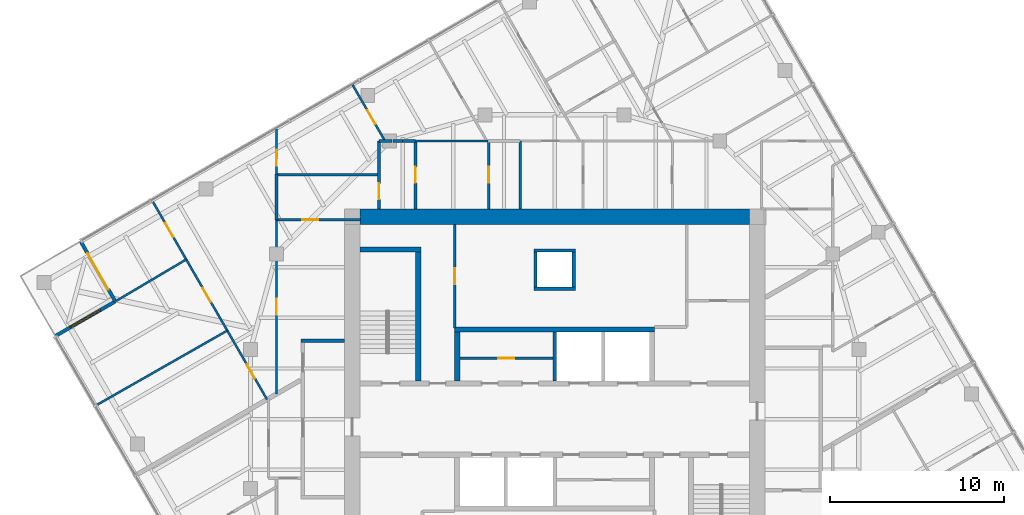
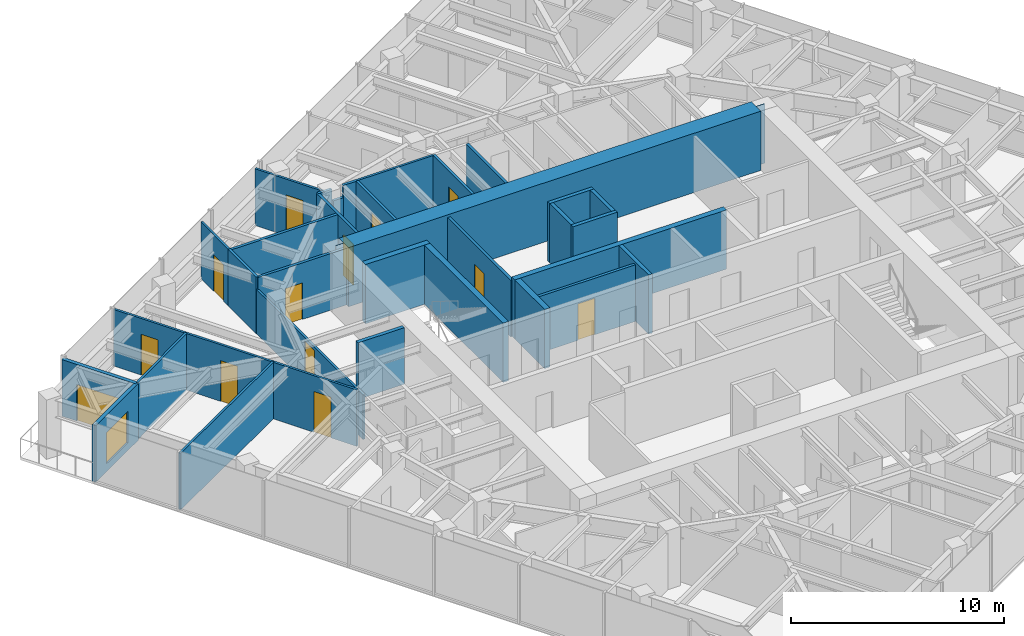
# One storey, part 10 of 13: 32 walls, 13 doors, 1 window, 14 openings.
"""IFC4 building model written with IfcOpenShell, lengths in metres."""

from ifc_helpers import new_model, si_unit, direction, frame, frame_2d, origin, place, context, subcontext, project, spatial, polyline, rectangle, outline, extrude, material, layer, layer_set, type_object, element, fill, save


model = new_model("IFC4")

# Units and contexts
model_context = context("Model", 3, precision=1e-05, world=origin(), true_north=direction((0.0, 1.0)))
body_context = subcontext(model_context, "Body", "Model", "MODEL_VIEW")
ifc_project = project(units=[si_unit("LENGTHUNIT", "METRE"), si_unit("AREAUNIT", "SQUARE_METRE"), si_unit("VOLUMEUNIT", "CUBIC_METRE"), si_unit("PLANEANGLEUNIT", "RADIAN"), si_unit("MASSUNIT", "GRAM", prefix="KILO")], contexts=[model_context])

# Site, building, storey
site_placement = place(None, origin())
site = spatial("IfcSite", under=ifc_project, at=site_placement, CompositionType="ELEMENT")
building_placement = place(site_placement, origin())
building = spatial("IfcBuilding", under=site, at=building_placement, Name="Torsade Residences", CompositionType="ELEMENT")
storey_placement = place(building_placement, frame((0.0, 0.0, 225.199951171875)))
storey = spatial("IfcBuildingStorey", under=building, at=storey_placement, Name="L62", CompositionType="ELEMENT", Elevation=225.199951171875)

# Walls
ifc_material_1 = material(Name="Concrete 80 MPa", Category="concrete")
ifc_layer_1 = layer(ifc_material_1, 0.300048828125)
ifc_layer_set_1 = layer_set([ifc_layer_1], Name="Concrete 80 MPa")
wall_type_1 = type_object("IfcWallType", Name="CORE INTERNAL WALL 300", PredefinedType="SHEAR", material=ifc_layer_set_1)
wall_1_placement = place(storey_placement, frame((34.25, 35.14990234375, 0.0), z_axis=(0.0, 0.0, 1.0), x_axis=(1.0, 0.0, 0.0)))
element("IfcWall", 1, at=wall_1_placement, inside=storey, type_object=wall_type_1, Name="Core wall BN L62", PredefinedType="SHEAR", context=body_context, shape_type="SweptSolid", body=[
    extrude(rectangle(XDim=11.5, YDim=0.300048828125, at=frame_2d((5.75, 0.0))), origin(), (0.0, 0.0, 1.0), 3.400146484375),
])
wall_2_placement = place(storey_placement, frame((34.39990234375, 32.199951171875, 0.0), z_axis=(0.0, 0.0, 1.0), x_axis=(0.0, 1.0, 0.0)))
element("IfcWall", 2, at=wall_2_placement, inside=storey, type_object=wall_type_1, Name="Core wall DN0 L62", PredefinedType="SHEAR", context=body_context, shape_type="SweptSolid", body=[
    extrude(rectangle(XDim=2.800048828125, YDim=0.300048828125, at=frame_2d((1.39990234375, 0.0))), origin(), (0.0, 0.0, 1.0), 3.400146484375),
])
wall_3_placement = place(storey_placement, frame((32.14990234375, 32.199951171875, 0.0), z_axis=(0.0, 0.0, 1.0), x_axis=(0.0, 1.0, 0.0)))
element("IfcWall", 3, at=wall_3_placement, inside=storey, type_object=wall_type_1, Name="Core wall ST1E L62", PredefinedType="SHEAR", context=body_context, shape_type="SweptSolid", body=[
    extrude(rectangle(XDim=7.699951171875, YDim=0.300048828125, at=frame_2d((3.85009765625, 0.0))), origin(), (0.0, 0.0, 1.0), 3.400146484375),
])
wall_4_placement = place(storey_placement, frame((28.800048828125, 39.75, 0.0), z_axis=(0.0, 0.0, 1.0), x_axis=(1.0, 0.0, 0.0)))
element("IfcWall", 4, at=wall_4_placement, inside=storey, type_object=wall_type_1, Name="Core wall ST1N L62", PredefinedType="SHEAR", context=body_context, shape_type="SweptSolid", body=[
    extrude(rectangle(XDim=3.5, YDim=0.300048828125, at=frame_2d((1.75, 0.0))), origin(), (0.0, 0.0, 1.0), 3.400146484375),
])
ifc_material_2 = material(Name="Concrete 80 MPa", Category="concrete")
ifc_layer_2 = layer(ifc_material_2, 0.89990234375)
ifc_layer_set_2 = layer_set([ifc_layer_2], Name="Concrete 80 MPa")
wall_type_2 = type_object("IfcWallType", Name="CORE WALL 900", PredefinedType="SHEAR", material=ifc_layer_set_2)
wall_5_placement = place(storey_placement, frame((28.800048828125, 41.64990234375, 0.0), z_axis=(0.0, 0.0, 1.0), x_axis=(1.0, 0.0, 0.0)))
element("IfcWall", 5, at=wall_5_placement, inside=storey, type_object=wall_type_2, Name="Core wall N L62", PredefinedType="SHEAR", context=body_context, shape_type="SweptSolid", body=[
    extrude(outline(polyline([(0.0, -0.449951171875), (22.39990234375, -0.449951171875), (22.39990234375, -0.02490234375), (22.849853515625, -0.02490234375), (22.849853515625, 0.02490234375), (22.39990234375, 0.02490234375), (22.39990234375, 0.449951171875), (0.0, 0.449951171875), (0.0, 0.02490234375), (-0.449951171875, 0.02490234375), (-0.449951171875, -0.02490234375), (0.0, -0.02490234375), (0.0, -0.449951171875)])), origin(), (0.0, 0.0, 1.0), 3.400146484375),
])
ifc_material_3 = material(Name="Plasterboard on steel stud", Category="steel")
ifc_layer_3 = layer(ifc_material_3, 0.199951171875)
ifc_layer_set_3 = layer_set([ifc_layer_3], Name="Plasterboard on steel stud")
wall_type_3 = type_object("IfcWallType", Name="CORRIDOR WALL 200", PredefinedType="PARTITIONING", material=ifc_layer_set_3)
wall_6_placement = place(storey_placement, frame((27.89990234375, 34.5, 0.0), z_axis=(0.0, 0.0, 1.0), x_axis=(-1.0, 0.0, 0.0)))
element("IfcWall", 6, at=wall_6_placement, inside=storey, type_object=wall_type_3, Name="Corridor wall L62", PredefinedType="PARTITIONING", context=body_context, shape_type="SweptSolid", body=[
    extrude(rectangle(XDim=2.5, YDim=0.199951171875, at=frame_2d((1.25, 0.0))), origin(), (0.0, 0.0, 1.0), 3.25),
])
ifc_material_4 = material(Name="Reinforced blockwork", Category="masonry")
ifc_layer_4 = layer(ifc_material_4, 0.199951171875)
ifc_layer_set_4 = layer_set([ifc_layer_4], Name="Reinforced blockwork")
wall_type_4 = type_object("IfcWallType", Name="LIFT SHAFT DIVIDING WALL 200", PredefinedType="SOLIDWALL", material=ifc_layer_set_4)
wall_7_placement = place(storey_placement, frame((40.0, 32.199951171875, 0.0), z_axis=(0.0, 0.0, 1.0), x_axis=(0.0, 1.0, 0.0)))
element("IfcWall", 7, at=wall_7_placement, inside=storey, type_object=wall_type_4, Name="Core wall DN2 L62", PredefinedType="SOLIDWALL", context=body_context, shape_type="SweptSolid", body=[
    extrude(rectangle(XDim=2.800048828125, YDim=0.199951171875, at=frame_2d((1.39990234375, 0.0))), origin(), (0.0, 0.0, 1.0), 3.400146484375),
])

# Wall, opening, door
ifc_material_5 = material(Name="Plasterboard on steel stud", Category="steel")
ifc_layer_5 = layer(ifc_material_5, 0.1201171875)
ifc_layer_set_5 = layer_set([ifc_layer_5], Name="Plasterboard on steel stud")
wall_type_5 = type_object("IfcWallType", Name="PARTITION 120", PredefinedType="PARTITIONING", material=ifc_layer_set_5)
wall_8_placement = place(storey_placement, frame((24.0, 31.443359375, 0.0), z_axis=(0.0, 0.0, 1.0), x_axis=(0.0, 1.0, 0.0)))
wall_8 = element("IfcWall", 8, at=wall_8_placement, inside=storey, type_object=wall_type_5, Name="Partition L62", PredefinedType="PARTITIONING", context=body_context, shape_type="SweptSolid", body=[
    extrude(rectangle(XDim=10.023193359375, YDim=0.1201171875, at=frame_2d((5.01171875, 0.0))), origin(), (0.0, 0.0, 1.0), 2.550048828125),
])
opening_1_placement = place(wall_8_placement, frame((4.551513671875, 0.0, 0.0)))
opening_1 = element("IfcOpeningElement", 9, at=opening_1_placement, cuts=wall_8, Name="Opening D02", PredefinedType="OPENING", context=body_context, shape_type="SweptSolid", body=[
    extrude(rectangle(XDim=0.919921875, YDim=2.340087890625, at=frame_2d((0.4599609375, 1.169921875))), frame((0.0, 0.070068359375, 0.0), z_axis=(0.0, -1.0, 0.0), x_axis=(1.0, 0.0, 0.0)), (0.0, 0.0, 1.0), 0.14013671875),
])
ifc_material_6 = material(Name="Hollow-core timber door", Category="wood")
door_type_1 = type_object("IfcDoorType", Name="INTERNAL DOOR 920x2340", OperationType="NOTDEFINED", PredefinedType="DOOR", material=ifc_material_6)
door_1_placement = place(opening_1_placement, origin())
door_1 = element("IfcDoor", 10, at=door_1_placement, inside=storey, type_object=door_type_1, Name="Door Kitchen and dining to Living room", OperationType="SINGLE_SWING_RIGHT", OverallHeight=2.340087890625, OverallWidth=0.919921875, PredefinedType="DOOR", context=body_context, shape_type="SweptSolid", body=[
    extrude(rectangle(XDim=0.919921875, YDim=2.340087890625, at=frame_2d((0.4599609375, 1.169921875))), frame((0.0, 0.02490234375, 0.0), z_axis=(0.0, -1.0, 0.0), x_axis=(1.0, 0.0, 0.0)), (0.0, 0.0, 1.0), 0.050048828125),
])
fill(opening_1, door_1)

wall_9_placement = place(storey_placement, frame((24.000244140625, 44.114501953125, 0.0), z_axis=(0.0, 0.0, 1.0), x_axis=(0.003773202081, 0.999992881448, 0.0)))
wall_9 = element("IfcWall", 11, at=wall_9_placement, inside=storey, type_object=wall_type_5, Name="Partition L62", PredefinedType="PARTITIONING", context=body_context, shape_type="SweptSolid", body=[
    extrude(rectangle(XDim=2.588134765625, YDim=0.1201171875, at=frame_2d((1.2939453125, 0.0))), origin(), (0.0, 0.0, 1.0), 3.25),
])
opening_2_placement = place(wall_9_placement, frame((0.457763671875, 0.0, 0.0)))
opening_2 = element("IfcOpeningElement", 12, at=opening_2_placement, cuts=wall_9, Name="Opening D02L", PredefinedType="OPENING", context=body_context, shape_type="SweptSolid", body=[
    extrude(rectangle(XDim=0.919921875, YDim=2.10009765625, at=frame_2d((0.4599609375, 1.050048828125))), frame((0.0, 0.070068359375, 0.0), z_axis=(0.0, -1.0, 0.0), x_axis=(1.0, 0.0, 0.0)), (0.0, 0.0, 1.0), 0.14013671875),
])
ifc_material_7 = material(Name="Hollow-core timber door", Category="wood")
door_type_2 = type_object("IfcDoorType", Name="INTERNAL DOOR 920x2100", OperationType="NOTDEFINED", PredefinedType="DOOR", material=ifc_material_7)
door_2_placement = place(opening_2_placement, origin())
door_2 = element("IfcDoor", 13, at=door_2_placement, inside=storey, type_object=door_type_2, Name="Door Living room to Scullery", OperationType="SINGLE_SWING_RIGHT", OverallHeight=2.10009765625, OverallWidth=0.919921875, PredefinedType="DOOR", context=body_context, shape_type="SweptSolid", body=[
    extrude(rectangle(XDim=0.919921875, YDim=2.10009765625, at=frame_2d((0.4599609375, 1.050048828125))), frame((0.0, 0.02490234375, 0.0), z_axis=(0.0, -1.0, 0.0), x_axis=(1.0, 0.0, 0.0)), (0.0, 0.0, 1.0), 0.050048828125),
])
fill(opening_2, door_2)

wall_10_placement = place(storey_placement, frame((28.38037109375, 49.225830078125, 0.0), z_axis=(0.0, 0.0, 1.0), x_axis=(0.499973989716, -0.866040420308, 0.0)))
wall_10 = element("IfcWall", 14, at=wall_10_placement, inside=storey, type_object=wall_type_5, Name="Partition L62", PredefinedType="PARTITIONING", context=body_context, shape_type="SweptSolid", body=[
    extrude(rectangle(XDim=3.724853515625, YDim=0.1201171875, at=frame_2d((1.8623046875, 0.0))), origin(), (0.0, 0.0, 1.0), 3.25),
])
opening_3_placement = place(wall_10_placement, frame((1.682373046875, 0.0, 0.0)))
opening_3 = element("IfcOpeningElement", 15, at=opening_3_placement, cuts=wall_10, Name="Opening D02", PredefinedType="OPENING", context=body_context, shape_type="SweptSolid", body=[
    extrude(rectangle(XDim=0.919921875, YDim=2.340087890625, at=frame_2d((0.4599609375, 1.169921875))), frame((0.0, 0.070068359375, 0.0), z_axis=(0.0, -1.0, 0.0), x_axis=(1.0, 0.0, 0.0)), (0.0, 0.0, 1.0), 0.14013671875),
])
door_3_placement = place(opening_3_placement, origin())
door_3 = element("IfcDoor", 16, at=door_3_placement, inside=storey, type_object=door_type_1, Name="Door Scullery to Media room", OperationType="SINGLE_SWING_LEFT", OverallHeight=2.340087890625, OverallWidth=0.919921875, PredefinedType="DOOR", context=body_context, shape_type="SweptSolid", body=[
    extrude(rectangle(XDim=0.919921875, YDim=2.340087890625, at=frame_2d((0.4599609375, 1.169921875))), frame((0.0, 0.02490234375, 0.0), z_axis=(0.0, -1.0, 0.0), x_axis=(1.0, 0.0, 0.0)), (0.0, 0.0, 1.0), 0.050048828125),
])
fill(opening_3, door_3)

# Wall
wall_11_placement = place(storey_placement, frame((31.99951171875, 46.0, 0.0), z_axis=(0.0, 0.0, 1.0), x_axis=(1.0, 0.0, 0.0)))
element("IfcWall", 17, at=wall_11_placement, inside=storey, type_object=wall_type_5, Name="Partition L62", PredefinedType="PARTITIONING", context=body_context, shape_type="SweptSolid", body=[
    extrude(rectangle(XDim=4.1611328125, YDim=0.1201171875, at=frame_2d((2.08056640625, 0.0))), origin(), (0.0, 0.0, 1.0), 3.25),
])

# Wall, openings, doors
wall_12_placement = place(storey_placement, frame((23.45654296875, 31.129638671875, 0.0), z_axis=(0.0, 0.0, 1.0), x_axis=(-0.499999220117, 0.86602585405, 0.0)))
wall_12 = element("IfcWall", 18, at=wall_12_placement, inside=storey, type_object=wall_type_5, Name="Partition L62", PredefinedType="PARTITIONING", context=body_context, shape_type="SweptSolid", body=[
    extrude(rectangle(XDim=13.2099609375, YDim=0.1201171875, at=frame_2d((6.60498046875, 0.0))), origin(), (0.0, 0.0, 1.0), 3.25),
])
opening_4_placement = place(wall_12_placement, frame((6.4775390625, 0.0, 0.0)))
opening_4 = element("IfcOpeningElement", 19, at=opening_4_placement, cuts=wall_12, Name="Opening D02", PredefinedType="OPENING", context=body_context, shape_type="SweptSolid", body=[
    extrude(rectangle(XDim=0.919921875, YDim=2.340087890625, at=frame_2d((0.4599609375, 1.169921875))), frame((0.0, 0.070068359375, 0.0), z_axis=(0.0, -1.0, 0.0), x_axis=(1.0, 0.0, 0.0)), (0.0, 0.0, 1.0), 0.14013671875),
])
opening_5_placement = place(wall_12_placement, frame((1.402587890625, 0.0, 0.0)))
opening_5 = element("IfcOpeningElement", 20, at=opening_5_placement, cuts=wall_12, Name="Opening D02", PredefinedType="OPENING", context=body_context, shape_type="SweptSolid", body=[
    extrude(rectangle(XDim=0.919921875, YDim=2.340087890625, at=frame_2d((0.4599609375, 1.169921875))), frame((0.0, 0.070068359375, 0.0), z_axis=(0.0, -1.0, 0.0), x_axis=(1.0, 0.0, 0.0)), (0.0, 0.0, 1.0), 0.14013671875),
])
opening_6_placement = place(wall_12_placement, frame((10.7900390625, 0.0, 0.0)))
opening_6 = element("IfcOpeningElement", 21, at=opening_6_placement, cuts=wall_12, Name="Opening D02", PredefinedType="OPENING", context=body_context, shape_type="SweptSolid", body=[
    extrude(rectangle(XDim=0.919921875, YDim=2.340087890625, at=frame_2d((0.4599609375, 1.169921875))), frame((0.0, 0.070068359375, 0.0), z_axis=(0.0, -1.0, 0.0), x_axis=(1.0, 0.0, 0.0)), (0.0, 0.0, 1.0), 0.14013671875),
])
door_4_placement = place(opening_4_placement, origin())
door_4 = element("IfcDoor", 22, at=door_4_placement, inside=storey, type_object=door_type_1, Name="Door Living room to Bedroom 4", OperationType="SINGLE_SWING_LEFT", OverallHeight=2.340087890625, OverallWidth=0.919921875, PredefinedType="DOOR", context=body_context, shape_type="SweptSolid", body=[
    extrude(rectangle(XDim=0.919921875, YDim=2.340087890625, at=frame_2d((0.4599609375, 1.169921875))), frame((0.0, 0.02490234375, 0.0), z_axis=(0.0, -1.0, 0.0), x_axis=(1.0, 0.0, 0.0)), (0.0, 0.0, 1.0), 0.050048828125),
])
fill(opening_4, door_4)
door_5_placement = place(opening_5_placement, origin())
door_5 = element("IfcDoor", 23, at=door_5_placement, inside=storey, type_object=door_type_1, Name="Door Living room to Bedroom 3", OperationType="SINGLE_SWING_LEFT", OverallHeight=2.340087890625, OverallWidth=0.919921875, PredefinedType="DOOR", context=body_context, shape_type="SweptSolid", body=[
    extrude(rectangle(XDim=0.919921875, YDim=2.340087890625, at=frame_2d((0.4599609375, 1.169921875))), frame((0.0, 0.02490234375, 0.0), z_axis=(0.0, -1.0, 0.0), x_axis=(1.0, 0.0, 0.0)), (0.0, 0.0, 1.0), 0.050048828125),
])
fill(opening_5, door_5)
door_6_placement = place(opening_6_placement, origin())
door_6 = element("IfcDoor", 24, at=door_6_placement, inside=storey, type_object=door_type_1, Name="Door Living room to Family room 2", OperationType="SINGLE_SWING_LEFT", OverallHeight=2.340087890625, OverallWidth=0.919921875, PredefinedType="DOOR", context=body_context, shape_type="SweptSolid", body=[
    extrude(rectangle(XDim=0.919921875, YDim=2.340087890625, at=frame_2d((0.4599609375, 1.169921875))), frame((0.0, 0.02490234375, 0.0), z_axis=(0.0, -1.0, 0.0), x_axis=(1.0, 0.0, 0.0)), (0.0, 0.0, 1.0), 0.050048828125),
])
fill(opening_6, door_6)

# Walls
wall_13_placement = place(storey_placement, frame((13.611572265625, 30.7861328125, 0.0), z_axis=(0.0, 0.0, 1.0), x_axis=(0.868878086013, 0.495026132286, 0.0)))
element("IfcWall", 25, at=wall_13_placement, inside=storey, type_object=wall_type_5, Name="Partition L62", PredefinedType="PARTITIONING", context=body_context, shape_type="SweptSolid", body=[
    extrude(rectangle(XDim=8.69775390625, YDim=0.1201171875, at=frame_2d((4.348876953125, 0.0))), origin(), (0.0, 0.0, 1.0), 3.25),
])
wall_14_placement = place(storey_placement, frame((14.76318359375, 36.79150390625, 0.0), z_axis=(0.0, 0.0, 1.0), x_axis=(0.860667778588, 0.509166942073, 0.0)))
element("IfcWall", 26, at=wall_14_placement, inside=storey, type_object=wall_type_5, Name="Partition L62", PredefinedType="PARTITIONING", context=body_context, shape_type="SweptSolid", body=[
    extrude(rectangle(XDim=4.697998046875, YDim=0.1201171875, at=frame_2d((2.34912109375, 0.0))), origin(), (0.0, 0.0, 1.0), 3.25),
])
ifc_material_8 = material(Name="Reinforced blockwork", Category="masonry")
ifc_layer_6 = layer(ifc_material_8, 0.199951171875)
ifc_layer_set_6 = layer_set([ifc_layer_6], Name="Reinforced blockwork")
wall_type_6 = type_object("IfcWallType", Name="RISER SHAFT WALL 200", PredefinedType="SOLIDWALL", material=ifc_layer_set_6)
for number, where, z_axis, x_axis, name in (
    (27, (38.89990234375, 37.60009765625, 0.0), (0.0, 0.0, 1.0), (0.0, 1.0, 0.0), "Core wall RS1a L62"),
    (28, (41.10009765625, 37.60009765625, 0.0), (0.0, 0.0, 1.0), (0.0, 1.0, 0.0), "Core wall RS1b L62"),
):
    element("IfcWall", number, at=place(storey_placement, frame(where, z_axis=z_axis, x_axis=x_axis)), inside=storey, type_object=wall_type_6, Name=name, PredefinedType="SOLIDWALL", context=body_context, shape_type="SweptSolid", body=[
        extrude(rectangle(XDim=2.0, YDim=0.199951171875, at=frame_2d((1.0, 0.0))), origin(), (0.0, 0.0, 1.0), 3.400146484375),
    ])
for number, where, z_axis, x_axis, name in (
    (29, (38.800048828125, 37.5, 0.0), (0.0, 0.0, 1.0), (1.0, 0.0, 0.0), "Core wall RS1c L62"),
    (30, (38.800048828125, 39.699951171875, 0.0), (0.0, 0.0, 1.0), (1.0, 0.0, 0.0), "Core wall RS1d L62"),
):
    element("IfcWall", number, at=place(storey_placement, frame(where, z_axis=z_axis, x_axis=x_axis)), inside=storey, type_object=wall_type_6, Name=name, PredefinedType="SOLIDWALL", context=body_context, shape_type="SweptSolid", body=[
        extrude(rectangle(XDim=2.39990234375, YDim=0.199951171875, at=frame_2d((1.199951171875, 0.0))), origin(), (0.0, 0.0, 1.0), 3.400146484375),
    ])

# Wall, opening, door
ifc_material_9 = material(Name="Reinforced blockwork", Category="masonry")
ifc_layer_7 = layer(ifc_material_9, 0.14990234375)
ifc_layer_set_7 = layer_set([ifc_layer_7], Name="Reinforced blockwork")
wall_type_7 = type_object("IfcWallType", Name="SERVICE ROOM WALL 150", PredefinedType="SOLIDWALL", material=ifc_layer_set_7)
wall_15_placement = place(storey_placement, frame((34.25, 41.199951171875, 0.0), z_axis=(0.0, 0.0, 1.0), x_axis=(0.0, -1.0, 0.0)))
wall_15 = element("IfcWall", 31, at=wall_15_placement, inside=storey, type_object=wall_type_7, Name="Service room wall L62", PredefinedType="SOLIDWALL", context=body_context, shape_type="SweptSolid", body=[
    extrude(rectangle(XDim=5.949951171875, YDim=0.14990234375, at=frame_2d((2.97509765625, 0.0))), origin(), (0.0, 0.0, 1.0), 3.25),
])
opening_7_placement = place(wall_15_placement, frame((2.514892578125, 0.0, 0.0)))
opening_7 = element("IfcOpeningElement", 32, at=opening_7_placement, cuts=wall_15, Name="Opening D06", PredefinedType="OPENING", context=body_context, shape_type="SweptSolid", body=[
    extrude(rectangle(XDim=0.919921875, YDim=2.10009765625, at=frame_2d((0.4599609375, 1.050048828125))), frame((0.0, 0.0849609375, 0.0), z_axis=(0.0, -1.0, 0.0), x_axis=(1.0, 0.0, 0.0)), (0.0, 0.0, 1.0), 0.169921875),
])
ifc_material_10 = material(Name="Steel-framed fire door", Category="steel")
door_type_3 = type_object("IfcDoorType", Name="FIRE DOOR 920", OperationType="NOTDEFINED", PredefinedType="DOOR", material=ifc_material_10)
door_7_placement = place(opening_7_placement, origin())
door_7 = element("IfcDoor", 33, at=door_7_placement, inside=storey, type_object=door_type_3, Name="Door Main switchboard store to Electrical riser room", OperationType="SINGLE_SWING_LEFT", OverallHeight=2.10009765625, OverallWidth=0.919921875, PredefinedType="DOOR", context=body_context, shape_type="SweptSolid", body=[
    extrude(rectangle(XDim=0.919921875, YDim=2.10009765625, at=frame_2d((0.4599609375, 1.050048828125))), frame((0.0, 0.02490234375, 0.0), z_axis=(0.0, -1.0, 0.0), x_axis=(1.0, 0.0, 0.0)), (0.0, 0.0, 1.0), 0.050048828125),
])
fill(opening_7, door_7)

wall_16_placement = place(storey_placement, frame((24.0, 41.466552734375, 0.0), z_axis=(0.0, 0.0, 1.0), x_axis=(1.0, 0.0, 0.0)))
wall_16 = element("IfcWall", 34, at=wall_16_placement, inside=storey, type_object=wall_type_7, Name="Service room wall L62", PredefinedType="SOLIDWALL", context=body_context, shape_type="SweptSolid", body=[
    extrude(rectangle(XDim=4.820068359375, YDim=0.14990234375, at=frame_2d((2.41015625, 0.0))), origin(), (0.0, 0.0, 1.0), 3.25),
])
opening_8_placement = place(wall_16_placement, frame((1.489990234375, 0.0, 0.0)))
opening_8 = element("IfcOpeningElement", 35, at=opening_8_placement, cuts=wall_16, Name="Opening D02L", PredefinedType="OPENING", context=body_context, shape_type="SweptSolid", body=[
    extrude(rectangle(XDim=0.919921875, YDim=2.10009765625, at=frame_2d((0.4599609375, 1.050048828125))), frame((0.0, 0.0849609375, 0.0), z_axis=(0.0, -1.0, 0.0), x_axis=(1.0, 0.0, 0.0)), (0.0, 0.0, 1.0), 0.169921875),
])
door_8_placement = place(opening_8_placement, origin())
door_8 = element("IfcDoor", 36, at=door_8_placement, inside=storey, type_object=door_type_2, Name="Door Kitchen and dining to Linen store 4", OperationType="SINGLE_SWING_RIGHT", OverallHeight=2.10009765625, OverallWidth=0.919921875, PredefinedType="DOOR", context=body_context, shape_type="SweptSolid", body=[
    extrude(rectangle(XDim=0.919921875, YDim=2.10009765625, at=frame_2d((0.4599609375, 1.050048828125))), frame((0.0, 0.02490234375, 0.0), z_axis=(0.0, -1.0, 0.0), x_axis=(1.0, 0.0, 0.0)), (0.0, 0.0, 1.0), 0.050048828125),
])
fill(opening_8, door_8)

# Wall
wall_17_placement = place(storey_placement, frame((30.632568359375, 46.0, 0.0), z_axis=(0.0, 0.0, 1.0), x_axis=(-1.0, 0.0, 0.0)))
element("IfcWall", 37, at=wall_17_placement, inside=storey, type_object=wall_type_7, Name="Service room wall L62", PredefinedType="SOLIDWALL", context=body_context, shape_type="SweptSolid", body=[
    extrude(rectangle(XDim=0.7353515625, YDim=0.14990234375, at=frame_2d((0.36767578125, 0.0))), origin(), (0.0, 0.0, 1.0), 3.25),
])

# Wall, opening, door
wall_18_placement = place(storey_placement, frame((29.897216796875, 46.0, 0.0), z_axis=(0.0, 0.0, 1.0), x_axis=(0.0, -1.0, 0.0)))
wall_18 = element("IfcWall", 38, at=wall_18_placement, inside=storey, type_object=wall_type_7, Name="Service room wall L62", PredefinedType="SOLIDWALL", context=body_context, shape_type="SweptSolid", body=[
    extrude(rectangle(XDim=3.89990234375, YDim=0.14990234375, at=frame_2d((1.949951171875, 0.0))), origin(), (0.0, 0.0, 1.0), 3.25),
])
opening_9_placement = place(wall_18_placement, frame((2.4326171875, 0.0, 0.0)))
opening_9 = element("IfcOpeningElement", 39, at=opening_9_placement, cuts=wall_18, Name="Opening D02", PredefinedType="OPENING", context=body_context, shape_type="SweptSolid", body=[
    extrude(rectangle(XDim=0.919921875, YDim=2.340087890625, at=frame_2d((0.4599609375, 1.169921875))), frame((0.0, 0.0849609375, 0.0), z_axis=(0.0, -1.0, 0.0), x_axis=(1.0, 0.0, 0.0)), (0.0, 0.0, 1.0), 0.169921875),
])
door_9_placement = place(opening_9_placement, origin())
door_9 = element("IfcDoor", 40, at=door_9_placement, inside=storey, type_object=door_type_1, Name="Door Linen store 4 to Linen store 3", OperationType="SINGLE_SWING_RIGHT", OverallHeight=2.340087890625, OverallWidth=0.919921875, PredefinedType="DOOR", context=body_context, shape_type="SweptSolid", body=[
    extrude(rectangle(XDim=0.919921875, YDim=2.340087890625, at=frame_2d((0.4599609375, 1.169921875))), frame((0.0, 0.02490234375, 0.0), z_axis=(0.0, -1.0, 0.0), x_axis=(1.0, 0.0, 0.0)), (0.0, 0.0, 1.0), 0.050048828125),
])
fill(opening_9, door_9)

# Wall
wall_19_placement = place(storey_placement, frame((29.897216796875, 44.064697265625, 0.0), z_axis=(0.0, 0.0, 1.0), x_axis=(-1.0, 0.0, 0.0)))
element("IfcWall", 41, at=wall_19_placement, inside=storey, type_object=wall_type_7, Name="Service room wall L62", PredefinedType="SOLIDWALL", context=body_context, shape_type="SweptSolid", body=[
    extrude(rectangle(XDim=5.897216796875, YDim=0.14990234375, at=frame_2d((2.94873046875, 0.0))), origin(), (0.0, 0.0, 1.0), 3.25),
])

# Wall, opening, door
wall_20_placement = place(storey_placement, frame((36.204345703125, 46.0, 0.0), z_axis=(0.0, 0.0, 1.0), x_axis=(0.0, -1.0, 0.0)))
wall_20 = element("IfcWall", 42, at=wall_20_placement, inside=storey, type_object=wall_type_7, Name="Service room wall L62", PredefinedType="SOLIDWALL", context=body_context, shape_type="SweptSolid", body=[
    extrude(rectangle(XDim=3.89990234375, YDim=0.14990234375, at=frame_2d((1.949951171875, 0.0))), origin(), (0.0, 0.0, 1.0), 3.25),
])
opening_10_placement = place(wall_20_placement, frame((1.489990234375, 0.0, 0.0)))
opening_10 = element("IfcOpeningElement", 43, at=opening_10_placement, cuts=wall_20, Name="Opening D02", PredefinedType="OPENING", context=body_context, shape_type="SweptSolid", body=[
    extrude(rectangle(XDim=0.919921875, YDim=2.340087890625, at=frame_2d((0.4599609375, 1.169921875))), frame((0.0, 0.0849609375, 0.0), z_axis=(0.0, -1.0, 0.0), x_axis=(1.0, 0.0, 0.0)), (0.0, 0.0, 1.0), 0.169921875),
])
door_10_placement = place(opening_10_placement, origin())
door_10 = element("IfcDoor", 44, at=door_10_placement, inside=storey, type_object=door_type_1, Name="Door Pantry to Linen store", OperationType="SINGLE_SWING_LEFT", OverallHeight=2.340087890625, OverallWidth=0.919921875, PredefinedType="DOOR", context=body_context, shape_type="SweptSolid", body=[
    extrude(rectangle(XDim=0.919921875, YDim=2.340087890625, at=frame_2d((0.4599609375, 1.169921875))), frame((0.0, 0.02490234375, 0.0), z_axis=(0.0, -1.0, 0.0), x_axis=(1.0, 0.0, 0.0)), (0.0, 0.0, 1.0), 0.050048828125),
])
fill(opening_10, door_10)

wall_21_placement = place(storey_placement, frame((31.99951171875, 42.10009765625, 0.0), z_axis=(0.0, 0.0, 1.0), x_axis=(0.0, 1.0, 0.0)))
wall_21 = element("IfcWall", 45, at=wall_21_placement, inside=storey, type_object=wall_type_7, Name="Service room wall L62", PredefinedType="SOLIDWALL", context=body_context, shape_type="SweptSolid", body=[
    extrude(rectangle(XDim=3.89990234375, YDim=0.14990234375, at=frame_2d((1.949951171875, 0.0))), origin(), (0.0, 0.0, 1.0), 3.25),
])
opening_11_placement = place(wall_21_placement, frame((1.489990234375, 0.0, 0.0)))
opening_11 = element("IfcOpeningElement", 46, at=opening_11_placement, cuts=wall_21, Name="Opening D02", PredefinedType="OPENING", context=body_context, shape_type="SweptSolid", body=[
    extrude(rectangle(XDim=0.919921875, YDim=2.340087890625, at=frame_2d((0.4599609375, 1.169921875))), frame((0.0, 0.0849609375, 0.0), z_axis=(0.0, -1.0, 0.0), x_axis=(1.0, 0.0, 0.0)), (0.0, 0.0, 1.0), 0.169921875),
])
door_11_placement = place(opening_11_placement, origin())
door_11 = element("IfcDoor", 47, at=door_11_placement, inside=storey, type_object=door_type_1, Name="Door Linen store 3 to Pantry", OperationType="SINGLE_SWING_RIGHT", OverallHeight=2.340087890625, OverallWidth=0.919921875, PredefinedType="DOOR", context=body_context, shape_type="SweptSolid", body=[
    extrude(rectangle(XDim=0.919921875, YDim=2.340087890625, at=frame_2d((0.4599609375, 1.169921875))), frame((0.0, 0.02490234375, 0.0), z_axis=(0.0, -1.0, 0.0), x_axis=(1.0, 0.0, 0.0)), (0.0, 0.0, 1.0), 0.050048828125),
])
fill(opening_11, door_11)

# Walls
wall_22_placement = place(storey_placement, frame((38.017333984375, 42.10009765625, 0.0), z_axis=(0.0, 0.0, 1.0), x_axis=(0.0, 1.0, 0.0)))
element("IfcWall", 48, at=wall_22_placement, inside=storey, type_object=wall_type_7, Name="Service room wall L62", PredefinedType="SOLIDWALL", context=body_context, shape_type="SweptSolid", body=[
    extrude(rectangle(XDim=3.89990234375, YDim=0.14990234375, at=frame_2d((1.949951171875, 0.0))), origin(), (0.0, 0.0, 1.0), 3.25),
])
wall_23_placement = place(storey_placement, frame((24.0, 44.114501953125, 0.0), z_axis=(0.0, 0.0, 1.0), x_axis=(0.0, -1.0, 0.0)))
element("IfcWall", 49, at=wall_23_placement, inside=storey, type_object=wall_type_7, Name="Service room wall L62", PredefinedType="SOLIDWALL", context=body_context, shape_type="SweptSolid", body=[
    extrude(rectangle(XDim=2.64794921875, YDim=0.14990234375, at=frame_2d((1.323974609375, 0.0))), origin(), (0.0, 0.0, 1.0), 3.25),
])
wall_24_placement = place(storey_placement, frame((31.99951171875, 46.0, 0.0), z_axis=(0.0, 0.0, 1.0), x_axis=(-1.0, 0.0, 0.0)))
element("IfcWall", 50, at=wall_24_placement, inside=storey, type_object=wall_type_7, Name="Service room wall L62", PredefinedType="SOLIDWALL", context=body_context, shape_type="SweptSolid", body=[
    extrude(rectangle(XDim=0.74951171875, YDim=0.14990234375, at=frame_2d((0.374755859375, 0.0))), origin(), (0.0, 0.0, 1.0), 3.25),
])
wall_25_placement = place(storey_placement, frame((31.25, 46.0, 0.0), z_axis=(0.0, 0.0, 1.0), x_axis=(-1.0, 0.0, 0.0)))
element("IfcWall", 51, at=wall_25_placement, inside=storey, type_object=wall_type_7, Name="Service room wall L62", PredefinedType="SOLIDWALL", context=body_context, shape_type="SweptSolid", body=[
    extrude(rectangle(XDim=0.54541015625, YDim=0.14990234375, at=frame_2d((0.272705078125, 0.0))), origin(), (0.0, 0.0, 1.0), 2.550048828125),
])

# Wall, opening, door
wall_26_placement = place(storey_placement, frame((34.550048828125, 33.5, 0.0), z_axis=(0.0, 0.0, 1.0), x_axis=(1.0, 0.0, 0.0)))
wall_26 = element("IfcWall", 52, at=wall_26_placement, inside=storey, type_object=wall_type_7, Name="Service room wall L62", PredefinedType="SOLIDWALL", context=body_context, shape_type="SweptSolid", body=[
    extrude(rectangle(XDim=5.349853515625, YDim=0.14990234375, at=frame_2d((2.6748046875, 0.0))), origin(), (0.0, 0.0, 1.0), 3.25),
])
opening_12_placement = place(wall_26_placement, frame((2.215087890625, 0.0, 0.0)))
opening_12 = element("IfcOpeningElement", 53, at=opening_12_placement, cuts=wall_26, Name="Opening D06", PredefinedType="OPENING", context=body_context, shape_type="SweptSolid", body=[
    extrude(rectangle(XDim=0.919921875, YDim=2.10009765625, at=frame_2d((0.4599609375, 1.050048828125))), frame((0.0, 0.0849609375, 0.0), z_axis=(0.0, -1.0, 0.0), x_axis=(1.0, 0.0, 0.0)), (0.0, 0.0, 1.0), 0.169921875),
])
door_12_placement = place(opening_12_placement, origin())
door_12 = element("IfcDoor", 54, at=door_12_placement, inside=storey, type_object=door_type_3, Name="Door Communications room L62A to Records store L62B", OperationType="SINGLE_SWING_RIGHT", OverallHeight=2.10009765625, OverallWidth=0.919921875, PredefinedType="DOOR", context=body_context, shape_type="SweptSolid", body=[
    extrude(rectangle(XDim=0.919921875, YDim=2.10009765625, at=frame_2d((0.4599609375, 1.050048828125))), frame((0.0, 0.02490234375, 0.0), z_axis=(0.0, -1.0, 0.0), x_axis=(1.0, 0.0, 0.0)), (0.0, 0.0, 1.0), 0.050048828125),
])
fill(opening_12, door_12)

ifc_material_11 = material(Name="Stone-faced precast concrete 40 MPa panel", Category="masonry")
ifc_layer_8 = layer(ifc_material_11, 0.199951171875)
ifc_layer_set_8 = layer_set([ifc_layer_8], Name="Stone-faced precast concrete 40 MPa panel")
wall_type_8 = type_object("IfcWallType", Name="TERRACE WALL 200", PredefinedType="SOLIDWALL", material=ifc_layer_set_8)
wall_27_placement = place(storey_placement, frame((12.728515625, 40.235595703125, 0.0), z_axis=(0.0, 0.0, 1.0), x_axis=(0.49999894854, -0.866026010844, 0.0)))
wall_27 = element("IfcWall", 55, at=wall_27_placement, inside=storey, type_object=wall_type_8, Name="Terrace wall L62 8", PredefinedType="SOLIDWALL", context=body_context, shape_type="SweptSolid", body=[
    extrude(rectangle(XDim=4.0, YDim=0.199951171875, at=frame_2d((2.0, 0.0))), origin(), (0.0, 0.0, 1.0), 3.25),
])
opening_13_placement = place(wall_27_placement, frame((0.800048828125, 0.0, 0.0)))
opening_13 = element("IfcOpeningElement", 56, at=opening_13_placement, cuts=wall_27, Name="Opening D10A", PredefinedType="OPENING", context=body_context, shape_type="SweptSolid", body=[
    extrude(rectangle(XDim=2.39990234375, YDim=2.10009765625, at=frame_2d((1.199951171875, 1.050048828125))), frame((0.0, 0.10986328125, 0.0), z_axis=(0.0, -1.0, 0.0), x_axis=(1.0, 0.0, 0.0)), (0.0, 0.0, 1.0), 0.219970703125),
])
ifc_material_12 = material(Name="Aluminium-framed glass door", Category="aluminium")
door_type_4 = type_object("IfcDoorType", Name="TERRACE SLIDING DOOR 2400x2100", OperationType="SLIDING_TO_LEFT", PredefinedType="DOOR", material=ifc_material_12)
door_13_placement = place(opening_13_placement, origin())
door_13 = element("IfcDoor", 57, at=door_13_placement, inside=storey, type_object=door_type_4, Name="Terrace door L62 8", OperationType="SLIDING_TO_LEFT", OverallHeight=2.10009765625, OverallWidth=2.39990234375, PredefinedType="DOOR", context=body_context, shape_type="SweptSolid", body=[
    extrude(rectangle(XDim=2.39990234375, YDim=2.10009765625, at=frame_2d((1.199951171875, 1.050048828125))), frame((0.0, 0.02490234375, 0.0), z_axis=(0.0, -1.0, 0.0), x_axis=(1.0, 0.0, 0.0)), (0.0, 0.0, 1.0), 0.050048828125),
])
fill(opening_13, door_13)

# Wall, opening, window
wall_28_placement = place(storey_placement, frame((14.728515625, 36.771484375, 0.0), z_axis=(0.0, 0.0, 1.0), x_axis=(-0.866026010844, -0.49999894854, 0.0)))
wall_28 = element("IfcWall", 58, at=wall_28_placement, inside=storey, type_object=wall_type_8, Name="Terrace wall L62 9", PredefinedType="SOLIDWALL", context=body_context, shape_type="SweptSolid", body=[
    extrude(rectangle(XDim=4.0, YDim=0.199951171875, at=frame_2d((2.0, 0.0))), origin(), (0.0, 0.0, 1.0), 3.25),
])
opening_14_placement = place(wall_28_placement, frame((1.0, 0.0, 0.449951171875)))
opening_14 = element("IfcOpeningElement", 59, at=opening_14_placement, cuts=wall_28, Name="Opening W1B", PredefinedType="OPENING", context=body_context, shape_type="SweptSolid", body=[
    extrude(rectangle(XDim=2.0, YDim=1.800048828125, at=frame_2d((1.0, 0.89990234375))), frame((0.0, 0.10986328125, 0.0), z_axis=(0.0, -1.0, 0.0), x_axis=(1.0, 0.0, 0.0)), (0.0, 0.0, 1.0), 0.219970703125),
])
ifc_material_13 = material(Name="Aluminium-framed glass window", Category="aluminium")
window_type = type_object("IfcWindowType", Name="TERRACE WINDOW 2000x1800", PartitioningType="SINGLE_PANEL", PredefinedType="WINDOW", material=ifc_material_13)
window_placement = place(opening_14_placement, origin())
window = element("IfcWindow", 60, at=window_placement, inside=storey, type_object=window_type, Name="Terrace window L62 9", OverallHeight=1.800048828125, OverallWidth=2.0, PartitioningType="SINGLE_PANEL", PredefinedType="WINDOW", context=body_context, shape_type="SweptSolid", body=[
    extrude(rectangle(XDim=2.0, YDim=1.800048828125, at=frame_2d((1.0, 0.89990234375))), frame((0.0, 0.030029296875, 0.0), z_axis=(0.0, -1.0, 0.0), x_axis=(1.0, 0.0, 0.0)), (0.0, 0.0, 1.0), 0.06005859375),
])
fill(opening_14, window)

save(model, "model.ifc")
